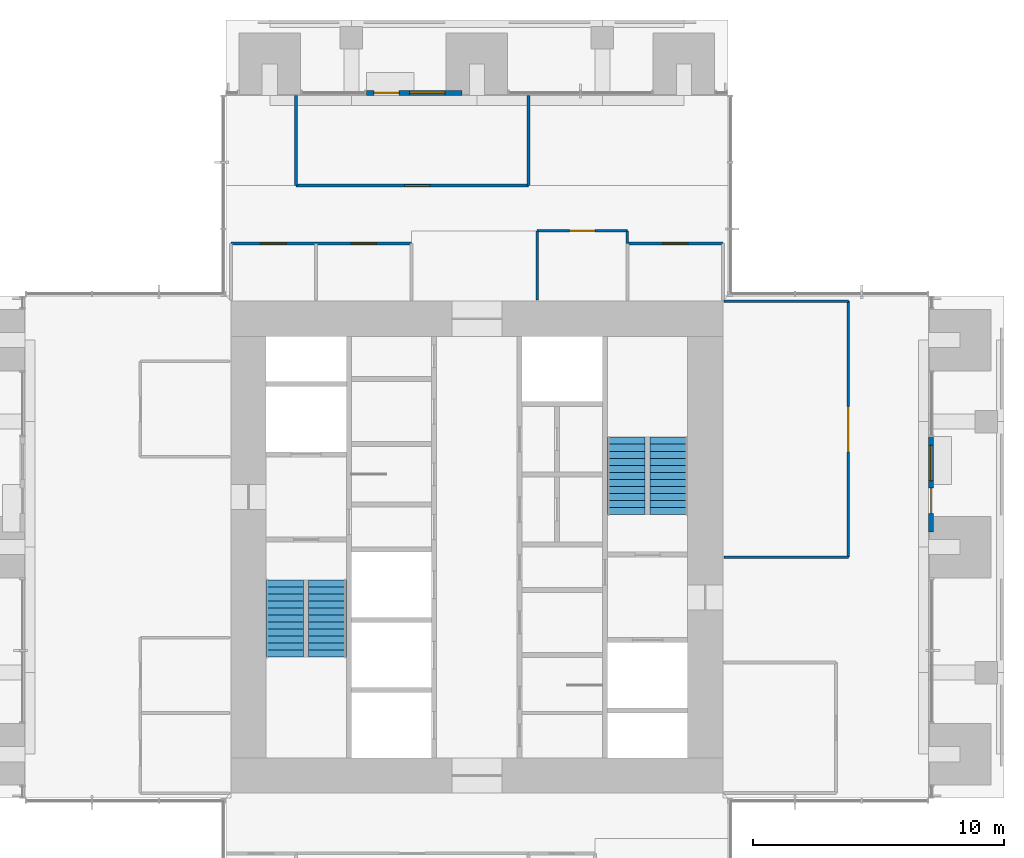
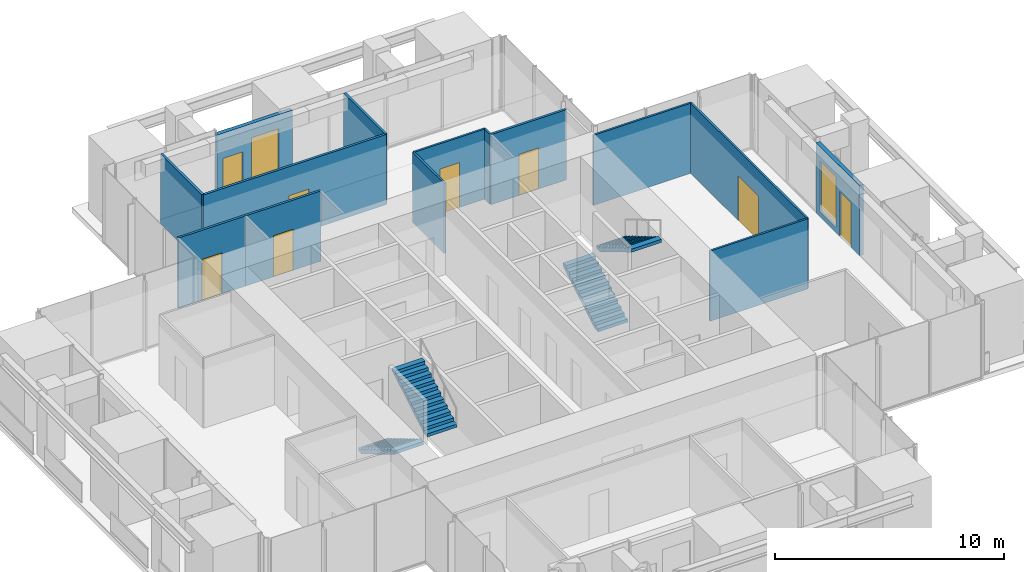
# One storey, part 14 of 17: 14 walls, 8 doors, 4 stair flights, 2 windows, 10 openings, 2 elements without a shape of their own.
"""IFC4 building model written with IfcOpenShell, lengths in metres."""

from ifc_helpers import new_model, si_unit, direction, frame, frame_2d, origin, place, context, subcontext, project, spatial, polyline, rectangle, outline, extrude, material, layer, layer_set, type_object, element, fill, aggregate, save


model = new_model("IFC4")

# Units and contexts
model_context = context("Model", 3, precision=1e-05, world=origin(), true_north=direction((0.0, 1.0)))
body_context = subcontext(model_context, "Body", "Model", "MODEL_VIEW")
ifc_project = project(units=[si_unit("LENGTHUNIT", "METRE"), si_unit("AREAUNIT", "SQUARE_METRE"), si_unit("VOLUMEUNIT", "CUBIC_METRE"), si_unit("PLANEANGLEUNIT", "RADIAN"), si_unit("MASSUNIT", "GRAM", prefix="KILO")], contexts=[model_context])

# Site, building, storey
site_placement = place(None, origin())
site = spatial("IfcSite", under=ifc_project, at=site_placement, CompositionType="ELEMENT")
building_placement = place(site_placement, origin())
building = spatial("IfcBuilding", under=site, at=building_placement, Name="Svetlomir Tower", CompositionType="ELEMENT")
storey_placement = place(building_placement, frame((0.0, 0.0, 222.5)))
storey = spatial("IfcBuildingStorey", under=building, at=storey_placement, Name="L53", CompositionType="ELEMENT", Elevation=222.5)

# Wall, openings, door, window
ifc_material_1 = material(Name="Bronze anodised aluminium glazed screen", Category="aluminium")
ifc_layer_1 = layer(ifc_material_1, 0.199951171875)
ifc_layer_set_1 = layer_set([ifc_layer_1], Name="Bronze anodised aluminium glazed screen")
wall_type_1 = type_object("IfcWallType", Name="BALCONY SCREEN WALL 200", PredefinedType="USERDEFINED", material=ifc_layer_set_1)
wall_1_placement = place(storey_placement, frame((39.10009765625, 21.60009765625, 0.0), z_axis=(0.0, 0.0, 1.0), x_axis=(0.0, 1.0, 0.0)))
wall_1 = element("IfcWall", 1, at=wall_1_placement, inside=storey, type_object=wall_type_1, Name="Balcony screen E", ObjectType="GLAZED SCREEN", PredefinedType="USERDEFINED", context=body_context, shape_type="SweptSolid", body=[
    extrude(rectangle(XDim=3.7998046875, YDim=0.199951171875, at=frame_2d((1.89990234375, 0.0))), origin(), (0.0, 0.0, 1.0), 3.75),
])
opening_1_placement = place(wall_1_placement, frame((0.75, 0.0, 0.0)))
opening_1 = element("IfcOpeningElement", 2, at=opening_1_placement, cuts=wall_1, Name="Opening BD", PredefinedType="OPENING", context=body_context, shape_type="SweptSolid", body=[
    extrude(rectangle(XDim=1.0, YDim=2.39990234375, at=frame_2d((0.5, 1.199951171875))), frame((0.0, 0.10986328125, 0.0), z_axis=(0.0, -1.0, 0.0), x_axis=(1.0, 0.0, 0.0)), (0.0, 0.0, 1.0), 0.219970703125),
])
opening_2_placement = place(wall_1_placement, frame((2.050048828125, 0.0, 0.300048828125)))
opening_2 = element("IfcOpeningElement", 3, at=opening_2_placement, cuts=wall_1, Name="Opening WS2", PredefinedType="OPENING", context=body_context, shape_type="SweptSolid", body=[
    extrude(rectangle(XDim=1.39990234375, YDim=2.699951171875, at=frame_2d((0.699951171875, 1.35009765625))), frame((0.0, 0.10986328125, 0.0), z_axis=(0.0, -1.0, 0.0), x_axis=(1.0, 0.0, 0.0)), (0.0, 0.0, 1.0), 0.219970703125),
])
ifc_material_2 = material(Name="Bronze anodised aluminium glazed door", Category="aluminium")
door_type_1 = type_object("IfcDoorType", Name="BALCONY DOOR BD 1000x2400", OperationType="SINGLE_SWING_LEFT", PredefinedType="DOOR", material=ifc_material_2)
door_1_placement = place(opening_1_placement, origin())
door_1 = element("IfcDoor", 4, at=door_1_placement, inside=storey, type_object=door_type_1, Name="Balcony screen E door", OperationType="SINGLE_SWING_LEFT", OverallHeight=2.39990234375, OverallWidth=1.0, PredefinedType="DOOR", context=body_context, shape_type="SweptSolid", body=[
    extrude(rectangle(XDim=1.0, YDim=2.39990234375, at=frame_2d((0.5, 1.199951171875))), frame((0.0, 0.02490234375, 0.0), z_axis=(0.0, -1.0, 0.0), x_axis=(1.0, 0.0, 0.0)), (0.0, 0.0, 1.0), 0.050048828125),
])
fill(opening_1, door_1)
ifc_material_3 = material(Name="Bronze anodised aluminium window", Category="aluminium")
window_type = type_object("IfcWindowType", Name="SCREEN WINDOW WS2 1400x2700", PartitioningType="SINGLE_PANEL", PredefinedType="WINDOW", material=ifc_material_3)
window_1_placement = place(opening_2_placement, origin())
window_1 = element("IfcWindow", 5, at=window_1_placement, inside=storey, type_object=window_type, Name="Balcony screen E window 1", OverallHeight=2.699951171875, OverallWidth=1.39990234375, PartitioningType="SINGLE_PANEL", PredefinedType="WINDOW", context=body_context, shape_type="SweptSolid", body=[
    extrude(rectangle(XDim=1.39990234375, YDim=2.699951171875, at=frame_2d((0.699951171875, 1.35009765625))), frame((0.0, 0.030029296875, 0.0), z_axis=(0.0, -1.0, 0.0), x_axis=(1.0, 0.0, 0.0)), (0.0, 0.0, 1.0), 0.06005859375),
])
fill(opening_2, window_1)

wall_2_placement = place(storey_placement, frame((20.39990234375, 39.10009765625, 0.0), z_axis=(0.0, 0.0, 1.0), x_axis=(-1.0, 0.0, 0.0)))
wall_2 = element("IfcWall", 6, at=wall_2_placement, inside=storey, type_object=wall_type_1, Name="Balcony screen N", ObjectType="GLAZED SCREEN", PredefinedType="USERDEFINED", context=body_context, shape_type="SweptSolid", body=[
    extrude(rectangle(XDim=3.7998046875, YDim=0.199951171875, at=frame_2d((1.89990234375, 0.0))), origin(), (0.0, 0.0, 1.0), 3.75),
])
opening_3_placement = place(wall_2_placement, frame((2.5, 0.0, 0.0)))
opening_3 = element("IfcOpeningElement", 7, at=opening_3_placement, cuts=wall_2, Name="Opening BD", PredefinedType="OPENING", context=body_context, shape_type="SweptSolid", body=[
    extrude(rectangle(XDim=1.0, YDim=2.39990234375, at=frame_2d((0.5, 1.199951171875))), frame((0.0, 0.10986328125, 0.0), z_axis=(0.0, -1.0, 0.0), x_axis=(1.0, 0.0, 0.0)), (0.0, 0.0, 1.0), 0.219970703125),
])
opening_4_placement = place(wall_2_placement, frame((0.675048828125, 0.0, 0.300048828125)))
opening_4 = element("IfcOpeningElement", 8, at=opening_4_placement, cuts=wall_2, Name="Opening WS2", PredefinedType="OPENING", context=body_context, shape_type="SweptSolid", body=[
    extrude(rectangle(XDim=1.39990234375, YDim=2.699951171875, at=frame_2d((0.699951171875, 1.35009765625))), frame((0.0, 0.10986328125, 0.0), z_axis=(0.0, -1.0, 0.0), x_axis=(1.0, 0.0, 0.0)), (0.0, 0.0, 1.0), 0.219970703125),
])
door_2_placement = place(opening_3_placement, origin())
door_2 = element("IfcDoor", 9, at=door_2_placement, inside=storey, type_object=door_type_1, Name="Balcony screen N door", OperationType="SINGLE_SWING_LEFT", OverallHeight=2.39990234375, OverallWidth=1.0, PredefinedType="DOOR", context=body_context, shape_type="SweptSolid", body=[
    extrude(rectangle(XDim=1.0, YDim=2.39990234375, at=frame_2d((0.5, 1.199951171875))), frame((0.0, 0.02490234375, 0.0), z_axis=(0.0, -1.0, 0.0), x_axis=(1.0, 0.0, 0.0)), (0.0, 0.0, 1.0), 0.050048828125),
])
fill(opening_3, door_2)
window_2_placement = place(opening_4_placement, origin())
window_2 = element("IfcWindow", 10, at=window_2_placement, inside=storey, type_object=window_type, Name="Balcony screen N window 1", OverallHeight=2.699951171875, OverallWidth=1.39990234375, PartitioningType="SINGLE_PANEL", PredefinedType="WINDOW", context=body_context, shape_type="SweptSolid", body=[
    extrude(rectangle(XDim=1.39990234375, YDim=2.699951171875, at=frame_2d((0.699951171875, 1.35009765625))), frame((0.0, 0.030029296875, 0.0), z_axis=(0.0, -1.0, 0.0), x_axis=(1.0, 0.0, 0.0)), (0.0, 0.0, 1.0), 0.06005859375),
])
fill(opening_4, window_2)

# Wall
ifc_material_4 = material(Name="Framed laminated glass partition", Category="glass")
ifc_layer_2 = layer(ifc_material_4, 0.10009765625)
ifc_layer_set_2 = layer_set([ifc_layer_2], Name="Framed laminated glass partition")
wall_type_2 = type_object("IfcWallType", Name="GLAZED PARTITION 100", PredefinedType="PARTITIONING", material=ifc_layer_set_2)
wall_3_placement = place(storey_placement, frame((23.39990234375, 30.85009765625, 0.0), z_axis=(0.0, 0.0, 1.0), x_axis=(0.0, 1.0, 0.0)))
element("IfcWall", 11, at=wall_3_placement, inside=storey, type_object=wall_type_2, Name="Glazed partition L53", PredefinedType="PARTITIONING", context=body_context, shape_type="SweptSolid", body=[
    extrude(rectangle(XDim=2.75, YDim=0.10009765625, at=frame_2d((1.375, 0.0))), origin(), (0.0, 0.0, 1.0), 3.75),
])

# Wall, opening, door
wall_4_placement = place(storey_placement, frame((23.39990234375, 33.60009765625, 0.0), z_axis=(0.0, 0.0, 1.0), x_axis=(1.0, 0.0, 0.0)))
wall_4 = element("IfcWall", 12, at=wall_4_placement, inside=storey, type_object=wall_type_2, Name="Glazed partition L53", PredefinedType="PARTITIONING", context=body_context, shape_type="SweptSolid", body=[
    extrude(rectangle(XDim=3.60009765625, YDim=0.10009765625, at=frame_2d((1.800048828125, 0.0))), origin(), (0.0, 0.0, 1.0), 3.75),
])
opening_5_placement = place(wall_4_placement, frame((1.300048828125, 0.0, 0.0)))
opening_5 = element("IfcOpeningElement", 13, at=opening_5_placement, cuts=wall_4, Name="Opening DG", PredefinedType="OPENING", context=body_context, shape_type="SweptSolid", body=[
    extrude(rectangle(XDim=1.0, YDim=2.39990234375, at=frame_2d((0.5, 1.199951171875))), frame((0.0, 0.06005859375, 0.0), z_axis=(0.0, -1.0, 0.0), x_axis=(1.0, 0.0, 0.0)), (0.0, 0.0, 1.0), 0.1201171875),
])
ifc_material_5 = material(Name="Framed laminated glass door", Category="glass")
door_type_2 = type_object("IfcDoorType", Name="GLAZED DOOR DG 1000x2400", OperationType="SINGLE_SWING_LEFT", PredefinedType="DOOR", material=ifc_material_5)
door_3_placement = place(opening_5_placement, origin())
door_3 = element("IfcDoor", 14, at=door_3_placement, inside=storey, type_object=door_type_2, Name="Meeting room, 6 seats door L53", OperationType="SINGLE_SWING_RIGHT", OverallHeight=2.39990234375, OverallWidth=1.0, PredefinedType="DOOR", context=body_context, shape_type="SweptSolid", body=[
    extrude(rectangle(XDim=1.0, YDim=2.39990234375, at=frame_2d((0.5, 1.199951171875))), frame((0.0, 0.02490234375, 0.0), z_axis=(0.0, -1.0, 0.0), x_axis=(1.0, 0.0, 0.0)), (0.0, 0.0, 1.0), 0.050048828125),
])
fill(opening_5, door_3)

# Walls
wall_5_placement = place(storey_placement, frame((27.0, 33.10009765625, 0.0), z_axis=(0.0, 0.0, 1.0), x_axis=(0.0, 1.0, 0.0)))
element("IfcWall", 15, at=wall_5_placement, inside=storey, type_object=wall_type_2, Name="Glazed partition L53", PredefinedType="PARTITIONING", context=body_context, shape_type="SweptSolid", body=[
    extrude(rectangle(XDim=0.5, YDim=0.10009765625, at=frame_2d((0.25, 0.0))), origin(), (0.0, 0.0, 1.0), 3.75),
])
for number, where, z_axis, x_axis, name in (
    (16, (30.85009765625, 20.60009765625, 0.0), (0.0, 0.0, 1.0), (1.0, 0.0, 0.0), "Glazed partition L53"),
    (17, (30.85009765625, 30.800048828125, 0.0), (0.0, 0.0, 1.0), (1.0, 0.0, 0.0), "Glazed partition L53"),
):
    element("IfcWall", number, at=place(storey_placement, frame(where, z_axis=z_axis, x_axis=x_axis)), inside=storey, type_object=wall_type_2, Name=name, PredefinedType="PARTITIONING", context=body_context, shape_type="SweptSolid", body=[
        extrude(rectangle(XDim=4.949951171875, YDim=0.10009765625, at=frame_2d((2.47509765625, 0.0))), origin(), (0.0, 0.0, 1.0), 3.75),
    ])

# Wall, opening, door
wall_6_placement = place(storey_placement, frame((35.800048828125, 20.60009765625, 0.0), z_axis=(0.0, 0.0, 1.0), x_axis=(0.0, 1.0, 0.0)))
wall_6 = element("IfcWall", 18, at=wall_6_placement, inside=storey, type_object=wall_type_2, Name="Glazed partition L53", PredefinedType="PARTITIONING", context=body_context, shape_type="SweptSolid", body=[
    extrude(rectangle(XDim=10.199951171875, YDim=0.10009765625, at=frame_2d((5.10009765625, 0.0))), origin(), (0.0, 0.0, 1.0), 3.75),
])
opening_6_placement = place(wall_6_placement, frame((4.199951171875, 0.0, 0.0)))
opening_6 = element("IfcOpeningElement", 19, at=opening_6_placement, cuts=wall_6, Name="Opening DD", PredefinedType="OPENING", context=body_context, shape_type="SweptSolid", body=[
    extrude(rectangle(XDim=1.800048828125, YDim=2.39990234375, at=frame_2d((0.89990234375, 1.199951171875))), frame((0.0, 0.06005859375, 0.0), z_axis=(0.0, -1.0, 0.0), x_axis=(1.0, 0.0, 0.0)), (0.0, 0.0, 1.0), 0.1201171875),
])
ifc_material_6 = material(Name="Timber door", Category="wood")
door_type_3 = type_object("IfcDoorType", Name="DOOR DD 1800x2400", OperationType="DOUBLE_DOOR_SINGLE_SWING", PredefinedType="DOOR", material=ifc_material_6)
door_4_placement = place(opening_6_placement, origin())
door_4 = element("IfcDoor", 20, at=door_4_placement, inside=storey, type_object=door_type_3, Name="Grants committee room, 16 seats door L53", OperationType="DOUBLE_DOOR_SINGLE_SWING", OverallHeight=2.39990234375, OverallWidth=1.800048828125, PredefinedType="DOOR", context=body_context, shape_type="SweptSolid", body=[
    extrude(rectangle(XDim=1.800048828125, YDim=2.39990234375, at=frame_2d((0.89990234375, 1.199951171875))), frame((0.0, 0.02490234375, 0.0), z_axis=(0.0, -1.0, 0.0), x_axis=(1.0, 0.0, 0.0)), (0.0, 0.0, 1.0), 0.050048828125),
])
fill(opening_6, door_4)

ifc_material_7 = material(Name="Gypsum board on steel studs", Category="steel")
ifc_layer_3 = layer(ifc_material_7, 0.1201171875)
ifc_layer_set_3 = layer_set([ifc_layer_3], Name="Gypsum board on steel studs")
wall_type_3 = type_object("IfcWallType", Name="PARTITION 120", PredefinedType="PARTITIONING", material=ifc_layer_set_3)
wall_7_placement = place(storey_placement, frame((11.199951171875, 33.10009765625, 0.0), z_axis=(0.0, 0.0, 1.0), x_axis=(1.0, 0.0, 0.0)))
wall_7 = element("IfcWall", 21, at=wall_7_placement, inside=storey, type_object=wall_type_3, Name="Partition L53", PredefinedType="PARTITIONING", context=body_context, shape_type="SweptSolid", body=[
    extrude(rectangle(XDim=3.400146484375, YDim=0.1201171875, at=frame_2d((1.7001953125, 0.0))), origin(), (0.0, 0.0, 1.0), 3.75),
])
opening_7_placement = place(wall_7_placement, frame((1.199951171875, 0.0, 0.0)))
opening_7 = element("IfcOpeningElement", 22, at=opening_7_placement, cuts=wall_7, Name="Opening DR", PredefinedType="OPENING", context=body_context, shape_type="SweptSolid", body=[
    extrude(rectangle(XDim=1.0, YDim=2.199951171875, at=frame_2d((0.5, 1.10009765625))), frame((0.0, 0.070068359375, 0.0), z_axis=(0.0, -1.0, 0.0), x_axis=(1.0, 0.0, 0.0)), (0.0, 0.0, 1.0), 0.14013671875),
])
ifc_material_8 = material(Name="Timber door, glazed side light", Category="wood")
door_type_4 = type_object("IfcDoorType", Name="DOOR DR 1000x2200", OperationType="SINGLE_SWING_LEFT", PredefinedType="DOOR", material=ifc_material_8)
door_5_placement = place(opening_7_placement, origin())
door_5 = element("IfcDoor", 23, at=door_5_placement, inside=storey, type_object=door_type_4, Name="Frame store door L53", OperationType="SINGLE_SWING_RIGHT", OverallHeight=2.199951171875, OverallWidth=1.0, PredefinedType="DOOR", context=body_context, shape_type="SweptSolid", body=[
    extrude(rectangle(XDim=1.0, YDim=2.199951171875, at=frame_2d((0.5, 1.10009765625))), frame((0.0, 0.02490234375, 0.0), z_axis=(0.0, -1.0, 0.0), x_axis=(1.0, 0.0, 0.0)), (0.0, 0.0, 1.0), 0.050048828125),
])
fill(opening_7, door_5)

# Wall
wall_8_placement = place(storey_placement, frame((13.800048828125, 35.39990234375, 0.0), z_axis=(0.0, 0.0, 1.0), x_axis=(0.0, 1.0, 0.0)))
element("IfcWall", 24, at=wall_8_placement, inside=storey, type_object=wall_type_3, Name="Partition L53", PredefinedType="PARTITIONING", context=body_context, shape_type="SweptSolid", body=[
    extrude(rectangle(XDim=3.60009765625, YDim=0.1201171875, at=frame_2d((1.800048828125, 0.0))), origin(), (0.0, 0.0, 1.0), 3.75),
])

# Wall, opening, door
wall_9_placement = place(storey_placement, frame((13.800048828125, 35.39990234375, 0.0), z_axis=(0.0, 0.0, 1.0), x_axis=(1.0, 0.0, 0.0)))
wall_9 = element("IfcWall", 25, at=wall_9_placement, inside=storey, type_object=wall_type_3, Name="Partition L53", PredefinedType="PARTITIONING", context=body_context, shape_type="SweptSolid", body=[
    extrude(rectangle(XDim=9.25, YDim=0.1201171875, at=frame_2d((4.625, 0.0))), origin(), (0.0, 0.0, 1.0), 3.75),
])
opening_8_placement = place(wall_9_placement, frame((4.324951171875, 0.0, 0.0)))
opening_8 = element("IfcOpeningElement", 26, at=opening_8_placement, cuts=wall_9, Name="Opening DR", PredefinedType="OPENING", context=body_context, shape_type="SweptSolid", body=[
    extrude(rectangle(XDim=1.0, YDim=2.199951171875, at=frame_2d((0.5, 1.10009765625))), frame((0.0, 0.070068359375, 0.0), z_axis=(0.0, -1.0, 0.0), x_axis=(1.0, 0.0, 0.0)), (0.0, 0.0, 1.0), 0.14013671875),
])
door_6_placement = place(opening_8_placement, origin())
door_6 = element("IfcDoor", 27, at=door_6_placement, inside=storey, type_object=door_type_4, Name="Conservation studio door L53", OperationType="SINGLE_SWING_LEFT", OverallHeight=2.199951171875, OverallWidth=1.0, PredefinedType="DOOR", context=body_context, shape_type="SweptSolid", body=[
    extrude(rectangle(XDim=1.0, YDim=2.199951171875, at=frame_2d((0.5, 1.10009765625))), frame((0.0, 0.02490234375, 0.0), z_axis=(0.0, -1.0, 0.0), x_axis=(1.0, 0.0, 0.0)), (0.0, 0.0, 1.0), 0.050048828125),
])
fill(opening_8, door_6)

wall_10_placement = place(storey_placement, frame((14.60009765625, 33.10009765625, 0.0), z_axis=(0.0, 0.0, 1.0), x_axis=(1.0, 0.0, 0.0)))
wall_10 = element("IfcWall", 28, at=wall_10_placement, inside=storey, type_object=wall_type_3, Name="Partition L53", PredefinedType="PARTITIONING", context=body_context, shape_type="SweptSolid", body=[
    extrude(rectangle(XDim=3.7998046875, YDim=0.1201171875, at=frame_2d((1.89990234375, 0.0))), origin(), (0.0, 0.0, 1.0), 3.75),
])
opening_9_placement = place(wall_10_placement, frame((1.39990234375, 0.0, 0.0)))
opening_9 = element("IfcOpeningElement", 29, at=opening_9_placement, cuts=wall_10, Name="Opening DR", PredefinedType="OPENING", context=body_context, shape_type="SweptSolid", body=[
    extrude(rectangle(XDim=1.0, YDim=2.199951171875, at=frame_2d((0.5, 1.10009765625))), frame((0.0, 0.070068359375, 0.0), z_axis=(0.0, -1.0, 0.0), x_axis=(1.0, 0.0, 0.0)), (0.0, 0.0, 1.0), 0.14013671875),
])
door_7_placement = place(opening_9_placement, origin())
door_7 = element("IfcDoor", 30, at=door_7_placement, inside=storey, type_object=door_type_4, Name="File store door L53", OperationType="SINGLE_SWING_LEFT", OverallHeight=2.199951171875, OverallWidth=1.0, PredefinedType="DOOR", context=body_context, shape_type="SweptSolid", body=[
    extrude(rectangle(XDim=1.0, YDim=2.199951171875, at=frame_2d((0.5, 1.10009765625))), frame((0.0, 0.02490234375, 0.0), z_axis=(0.0, -1.0, 0.0), x_axis=(1.0, 0.0, 0.0)), (0.0, 0.0, 1.0), 0.050048828125),
])
fill(opening_9, door_7)

# Wall
wall_11_placement = place(storey_placement, frame((23.050048828125, 35.39990234375, 0.0), z_axis=(0.0, 0.0, 1.0), x_axis=(0.0, 1.0, 0.0)))
element("IfcWall", 31, at=wall_11_placement, inside=storey, type_object=wall_type_3, Name="Partition L53", PredefinedType="PARTITIONING", context=body_context, shape_type="SweptSolid", body=[
    extrude(rectangle(XDim=3.60009765625, YDim=0.1201171875, at=frame_2d((1.800048828125, 0.0))), origin(), (0.0, 0.0, 1.0), 3.75),
])

# Wall, opening, door
wall_12_placement = place(storey_placement, frame((27.0, 33.10009765625, 0.0), z_axis=(0.0, 0.0, 1.0), x_axis=(1.0, 0.0, 0.0)))
wall_12 = element("IfcWall", 32, at=wall_12_placement, inside=storey, type_object=wall_type_3, Name="Partition L53", PredefinedType="PARTITIONING", context=body_context, shape_type="SweptSolid", body=[
    extrude(rectangle(XDim=3.800048828125, YDim=0.1201171875, at=frame_2d((1.89990234375, 0.0))), origin(), (0.0, 0.0, 1.0), 3.75),
])
opening_10_placement = place(wall_12_placement, frame((1.39990234375, 0.0, 0.0)))
opening_10 = element("IfcOpeningElement", 33, at=opening_10_placement, cuts=wall_12, Name="Opening DR", PredefinedType="OPENING", context=body_context, shape_type="SweptSolid", body=[
    extrude(rectangle(XDim=1.0, YDim=2.199951171875, at=frame_2d((0.5, 1.10009765625))), frame((0.0, 0.070068359375, 0.0), z_axis=(0.0, -1.0, 0.0), x_axis=(1.0, 0.0, 0.0)), (0.0, 0.0, 1.0), 0.14013671875),
])
door_8_placement = place(opening_10_placement, origin())
door_8 = element("IfcDoor", 34, at=door_8_placement, inside=storey, type_object=door_type_4, Name="Print and copy room door L53", OperationType="SINGLE_SWING_LEFT", OverallHeight=2.199951171875, OverallWidth=1.0, PredefinedType="DOOR", context=body_context, shape_type="SweptSolid", body=[
    extrude(rectangle(XDim=1.0, YDim=2.199951171875, at=frame_2d((0.5, 1.10009765625))), frame((0.0, 0.02490234375, 0.0), z_axis=(0.0, -1.0, 0.0), x_axis=(1.0, 0.0, 0.0)), (0.0, 0.0, 1.0), 0.050048828125),
])
fill(opening_10, door_8)

# Stair, stair flights
ifc_material_9 = material(Name="Concrete C60/75", Category="concrete")
stair_type = type_object("IfcStairType", Name="EXIT STAIR 3200 RISE 4000", PredefinedType="HALF_TURN_STAIR", material=ifc_material_9)
stair_1_placement = place(storey_placement, origin())
stair_1 = element("IfcStair", 35, at=stair_1_placement, inside=storey, type_object=stair_type, Name="Stair S1 L53 to L54", PredefinedType="HALF_TURN_STAIR")
ifc_material_10 = material(Name="Concrete C60/75", Category="concrete")
stair_flight_type = type_object("IfcStairFlightType", Name="STAIR FLIGHT 1500 OF 12 RISERS", PredefinedType="STRAIGHT", material=ifc_material_10)
stair_flight_1_placement = place(storey_placement, frame((13.35009765625, 19.699951171875, 0.0), z_axis=(0.0, 0.0, 1.0), x_axis=(0.0, -1.0, 0.0)))
stair_flight_1 = element("IfcStairFlight", 36, at=stair_flight_1_placement, type_object=stair_flight_type, Name="S1 flight 1", NumberOfRisers=12, NumberOfTreads=11, PredefinedType="STRAIGHT", RiserHeight=0.166666667, TreadLength=0.28, context=body_context, shape_type="SweptSolid", body=[
    extrude(outline(polyline([(0.0, 0.0), (0.0, 0.166748046875), (0.280029296875, 0.166748046875), (0.280029296875, 0.333251953125), (0.56005859375, 0.333251953125), (0.56005859375, 0.5), (0.840087890625, 0.5), (0.840087890625, 0.666748046875), (1.1201171875, 0.666748046875), (1.1201171875, 0.833251953125), (1.39990234375, 0.833251953125), (1.39990234375, 1.0), (1.679931640625, 1.0), (1.679931640625, 1.166748046875), (1.9599609375, 1.166748046875), (1.9599609375, 1.333251953125), (2.239990234375, 1.333251953125), (2.239990234375, 1.5), (2.52001953125, 1.5), (2.52001953125, 1.666748046875), (2.800048828125, 1.666748046875), (2.800048828125, 1.833251953125), (3.080078125, 1.833251953125), (3.080078125, 2.0), (3.080078125, 1.658935546875), (0.29296875, 0.0), (0.0, 0.0)])), frame((0.0, 0.75, 0.0), z_axis=(0.0, -1.0, 0.0), x_axis=(1.0, 0.0, 0.0)), (0.0, 0.0, 1.0), 1.5),
])
stair_flight_2_placement = place(storey_placement, frame((15.050048828125, 16.6201171875, 2.0), z_axis=(0.0, 0.0, 1.0), x_axis=(0.0, 1.0, 0.0)))
stair_flight_2 = element("IfcStairFlight", 37, at=stair_flight_2_placement, type_object=stair_flight_type, Name="S1 flight 2", NumberOfRisers=12, NumberOfTreads=11, PredefinedType="STRAIGHT", RiserHeight=0.166666667, TreadLength=0.28, context=body_context, shape_type="SweptSolid", body=[
    extrude(outline(polyline([(0.0, 0.0), (0.0, 0.166748046875), (0.280029296875, 0.166748046875), (0.280029296875, 0.333251953125), (0.56005859375, 0.333251953125), (0.56005859375, 0.5), (0.840087890625, 0.5), (0.840087890625, 0.666748046875), (1.1201171875, 0.666748046875), (1.1201171875, 0.833251953125), (1.39990234375, 0.833251953125), (1.39990234375, 1.0), (1.679931640625, 1.0), (1.679931640625, 1.166748046875), (1.9599609375, 1.166748046875), (1.9599609375, 1.333251953125), (2.239990234375, 1.333251953125), (2.239990234375, 1.5), (2.52001953125, 1.5), (2.52001953125, 1.666748046875), (2.800048828125, 1.666748046875), (2.800048828125, 1.833251953125), (3.080078125, 1.833251953125), (3.080078125, 2.0), (3.080078125, 1.658935546875), (0.29296875, 0.0), (0.0, 0.0)])), frame((0.0, 0.75, 0.0), z_axis=(0.0, -1.0, 0.0), x_axis=(1.0, 0.0, 0.0)), (0.0, 0.0, 1.0), 1.5),
])
aggregate(stair_1, [stair_flight_1, stair_flight_2])

stair_2_placement = place(storey_placement, origin())
stair_2 = element("IfcStair", 38, at=stair_2_placement, inside=storey, type_object=stair_type, Name="Stair S2 L53 to L54", PredefinedType="HALF_TURN_STAIR")
stair_flight_3_placement = place(storey_placement, frame((26.949951171875, 22.300048828125, 0.0), z_axis=(0.0, 0.0, 1.0), x_axis=(0.0, 1.0, 0.0)))
stair_flight_3 = element("IfcStairFlight", 39, at=stair_flight_3_placement, type_object=stair_flight_type, Name="S2 flight 1", NumberOfRisers=12, NumberOfTreads=11, PredefinedType="STRAIGHT", RiserHeight=0.166666667, TreadLength=0.28, context=body_context, shape_type="SweptSolid", body=[
    extrude(outline(polyline([(0.0, 0.0), (0.0, 0.166748046875), (0.280029296875, 0.166748046875), (0.280029296875, 0.333251953125), (0.56005859375, 0.333251953125), (0.56005859375, 0.5), (0.840087890625, 0.5), (0.840087890625, 0.666748046875), (1.1201171875, 0.666748046875), (1.1201171875, 0.833251953125), (1.39990234375, 0.833251953125), (1.39990234375, 1.0), (1.679931640625, 1.0), (1.679931640625, 1.166748046875), (1.9599609375, 1.166748046875), (1.9599609375, 1.333251953125), (2.239990234375, 1.333251953125), (2.239990234375, 1.5), (2.52001953125, 1.5), (2.52001953125, 1.666748046875), (2.800048828125, 1.666748046875), (2.800048828125, 1.833251953125), (3.080078125, 1.833251953125), (3.080078125, 2.0), (3.080078125, 1.658935546875), (0.29296875, 0.0), (0.0, 0.0)])), frame((0.0, 0.75, 0.0), z_axis=(0.0, -1.0, 0.0), x_axis=(1.0, 0.0, 0.0)), (0.0, 0.0, 1.0), 1.5),
])
stair_flight_4_placement = place(storey_placement, frame((28.64990234375, 25.3798828125, 2.0), z_axis=(0.0, 0.0, 1.0), x_axis=(0.0, -1.0, 0.0)))
stair_flight_4 = element("IfcStairFlight", 40, at=stair_flight_4_placement, type_object=stair_flight_type, Name="S2 flight 2", NumberOfRisers=12, NumberOfTreads=11, PredefinedType="STRAIGHT", RiserHeight=0.166666667, TreadLength=0.28, context=body_context, shape_type="SweptSolid", body=[
    extrude(outline(polyline([(0.0, 0.0), (0.0, 0.166748046875), (0.280029296875, 0.166748046875), (0.280029296875, 0.333251953125), (0.56005859375, 0.333251953125), (0.56005859375, 0.5), (0.840087890625, 0.5), (0.840087890625, 0.666748046875), (1.1201171875, 0.666748046875), (1.1201171875, 0.833251953125), (1.39990234375, 0.833251953125), (1.39990234375, 1.0), (1.679931640625, 1.0), (1.679931640625, 1.166748046875), (1.9599609375, 1.166748046875), (1.9599609375, 1.333251953125), (2.239990234375, 1.333251953125), (2.239990234375, 1.5), (2.52001953125, 1.5), (2.52001953125, 1.666748046875), (2.800048828125, 1.666748046875), (2.800048828125, 1.833251953125), (3.080078125, 1.833251953125), (3.080078125, 2.0), (3.080078125, 1.658935546875), (0.29296875, 0.0), (0.0, 0.0)])), frame((0.0, 0.75, 0.0), z_axis=(0.0, -1.0, 0.0), x_axis=(1.0, 0.0, 0.0)), (0.0, 0.0, 1.0), 1.5),
])
aggregate(stair_2, [stair_flight_3, stair_flight_4])

save(model, "model.ifc")
